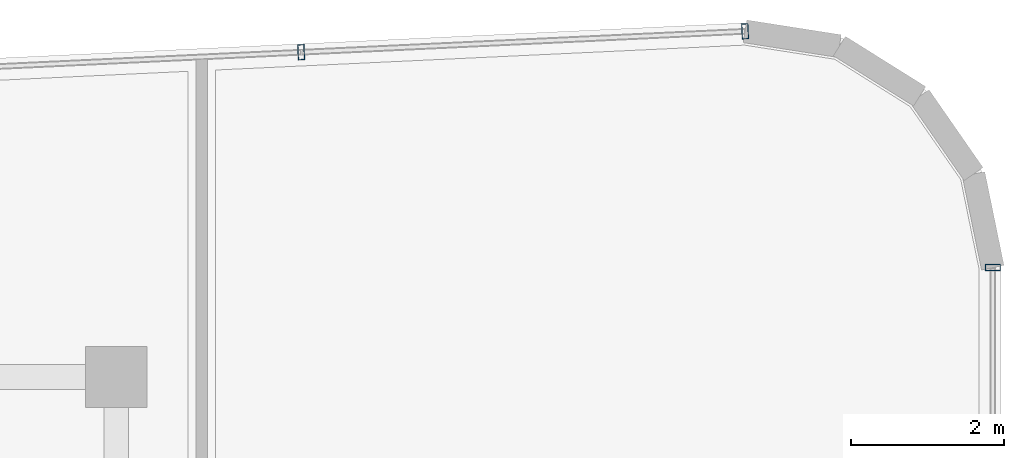
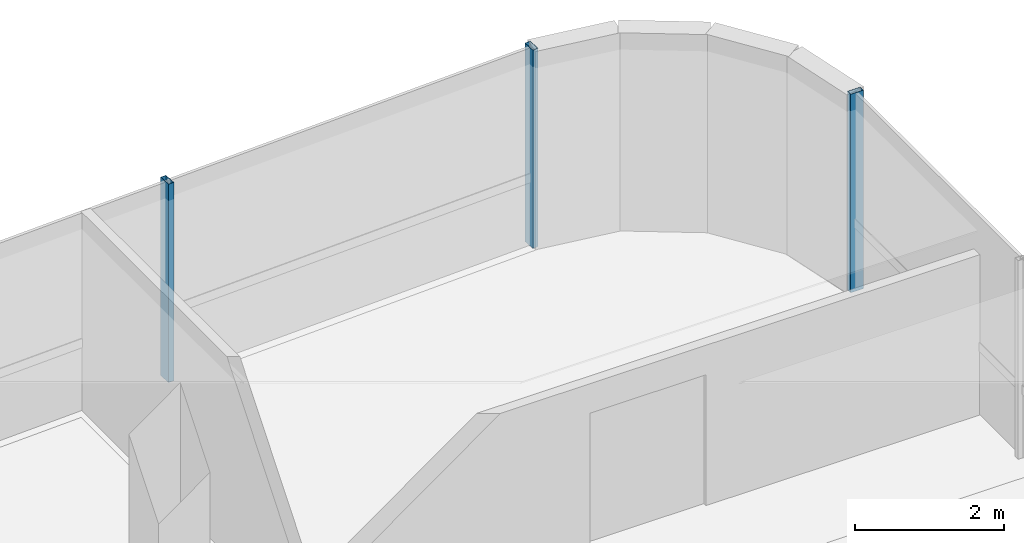
# One storey, part 12 of 18: 3 members, 2 elements without a shape of their own.
"""IFC4 building model written with IfcOpenShell, lengths in metres."""

from ifc_helpers import new_model, si_unit, direction, frame, origin, origin_2d, place, context, subcontext, project, spatial, hollow_rectangle, extrude, source, transform, mapped, material, material_profile, profile_set, type_object, element, aggregate, save


model = new_model("IFC4")

# Units and contexts
model_context = context("Model", 3, precision=1e-05, world=origin(), true_north=direction((0.0, 1.0)))
body_context = subcontext(model_context, "Body", "Model", "MODEL_VIEW")
ifc_project = project(units=[si_unit("LENGTHUNIT", "METRE"), si_unit("AREAUNIT", "SQUARE_METRE"), si_unit("VOLUMEUNIT", "CUBIC_METRE"), si_unit("PLANEANGLEUNIT", "RADIAN"), si_unit("MASSUNIT", "GRAM", prefix="KILO")], contexts=[model_context])

# Site, building, storey
site_placement = place(None, origin())
site = spatial("IfcSite", under=ifc_project, at=site_placement, CompositionType="ELEMENT")
building_placement = place(site_placement, origin())
building = spatial("IfcBuilding", under=site, at=building_placement, Name="Valdorenza Pilgrim Sanctuary Tower", CompositionType="ELEMENT")
storey_placement = place(building_placement, frame((0.0, 0.0, 276.5)))
storey = spatial("IfcBuildingStorey", under=building, at=storey_placement, Name="L72", CompositionType="ELEMENT", Elevation=276.5)

# Curtain wall, members
ifc_material_1 = material(Name="Curtain-wall IGU glazing", Category="glass")
curtain_wall_type = type_object("IfcCurtainWallType", Name="CW-SYS-02", PredefinedType="NOTDEFINED", material=ifc_material_1)
curtain_wall_1_placement = place(storey_placement, origin())
curtain_wall_1 = element("IfcCurtainWall", 1, at=curtain_wall_1_placement, inside=storey, type_object=curtain_wall_type, Name="L72 Curtain Wall CW-L72-1-6", PredefinedType="NOTDEFINED")
ifc_material_2 = material(Name="Anodised aluminium AW-6060", Category="aluminium")
ifc_material_profile = material_profile(ifc_material_2, hollow_rectangle(XDim=0.0849609375, YDim=0.199951171875, WallThickness=0.0048828125, at=origin_2d()), Name="ALU-M 200x85x5")
ifc_profile_set = profile_set([ifc_material_profile], Name="Anodised aluminium AW-6060")
member_type = type_object("IfcMemberType", Name="CW-MUL-02", PredefinedType="MULLION", material=ifc_profile_set)
shared_shape = source(origin(), body_context, "Body", "SweptSolid", [
    extrude(hollow_rectangle(XDim=0.0849609375, YDim=0.199951171875, WallThickness=0.0048828125, at=origin_2d()), origin(), (0.0, 0.0, 1.0), 3.260009765625),
])
member_1_placement = place(storey_placement, frame((-9.976318359375, 19.057373046875, 0.0), z_axis=(0.0, 0.0, 1.0), x_axis=(0.998890696972, 0.047089016785, 0.0)))
member_1 = element("IfcMember", 2, at=member_1_placement, type_object=member_type, Name="CW-L72-1-6 Mullion 4", PredefinedType="MULLION", context=body_context, shape_type="MappedRepresentation", body=[
    mapped(shared_shape, transform((0.0, 0.0, 0.0), x_axis=(1.0, 0.0, 0.0), y_axis=(0.0, 1.0, 0.0), z_axis=(0.0, 0.0, 1.0), scale=1.0)),
])
member_2_placement = place(storey_placement, frame((-4.15673828125, 19.331787109375, 0.0), z_axis=(0.0, 0.0, 1.0), x_axis=(0.998890696972, 0.047089016785, 0.0)))
member_2 = element("IfcMember", 3, at=member_2_placement, type_object=member_type, Name="CW-L72-1-6 Mullion 5", PredefinedType="MULLION", context=body_context, shape_type="MappedRepresentation", body=[
    mapped(shared_shape, transform((0.0, 0.0, 0.0), x_axis=(1.0, 0.0, 0.0), y_axis=(0.0, 1.0, 0.0), z_axis=(0.0, 0.0, 1.0), scale=1.0)),
])
aggregate(curtain_wall_1, [member_1, member_2])

# Curtain wall, member
curtain_wall_2_placement = place(storey_placement, origin())
curtain_wall_2 = element("IfcCurtainWall", 4, at=curtain_wall_2_placement, inside=storey, type_object=curtain_wall_type, Name="L72 Curtain Wall CW-L72-1-11", PredefinedType="NOTDEFINED")
member_3_placement = place(storey_placement, frame((-0.909912109375, 16.234375, 0.0), z_axis=(0.0, 0.0, 1.0), x_axis=(0.0, -1.0, 0.0)))
member_3 = element("IfcMember", 5, at=member_3_placement, type_object=member_type, Name="CW-L72-1-11 Mullion 1", PredefinedType="MULLION", context=body_context, shape_type="MappedRepresentation", body=[
    mapped(shared_shape, transform((0.0, 0.0, 0.0), x_axis=(1.0, 0.0, 0.0), y_axis=(0.0, 1.0, 0.0), z_axis=(0.0, 0.0, 1.0), scale=1.0)),
])
aggregate(curtain_wall_2, [member_3])

save(model, "model.ifc")
